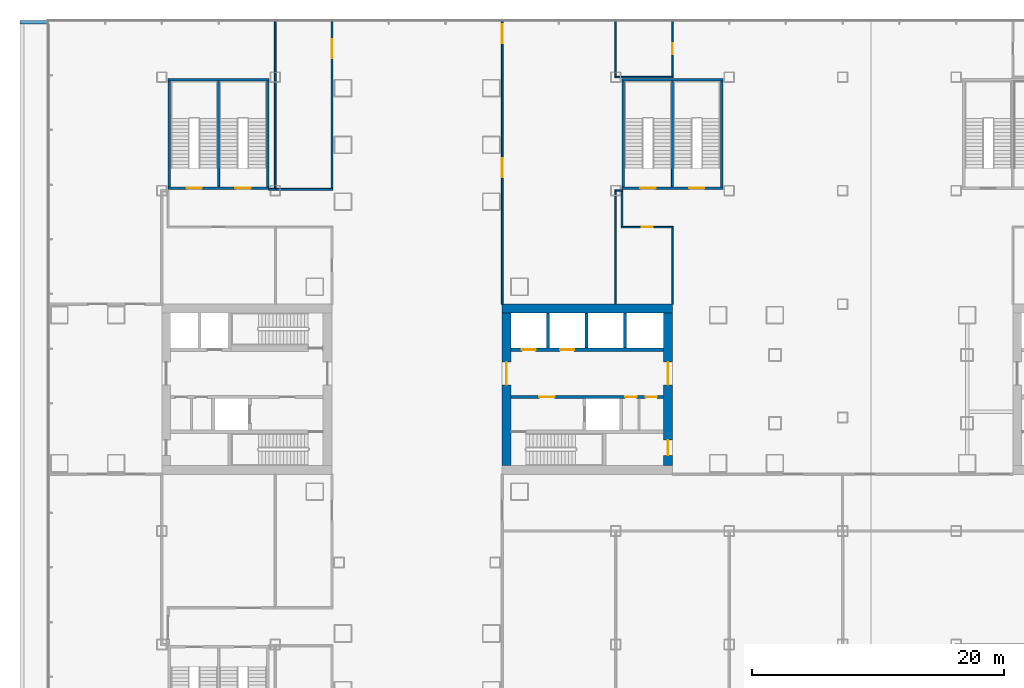
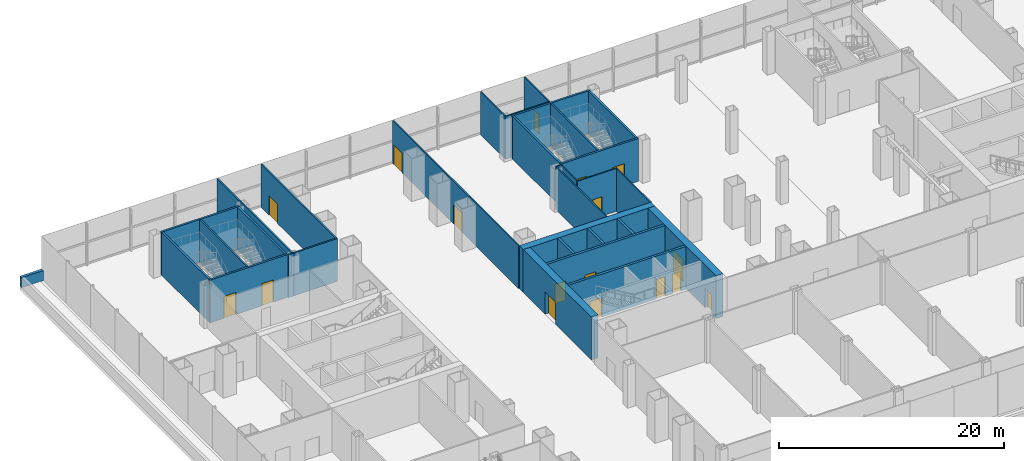
# One storey, part 19 of 30: 32 walls, 17 doors, 17 openings.
"""IFC4 building model written with IfcOpenShell, lengths in metres."""

from ifc_helpers import new_model, si_unit, direction, frame, frame_2d, origin, place, context, subcontext, project, spatial, rectangle, extrude, material, layer, layer_set, type_object, element, fill, save


model = new_model("IFC4")

# Units and contexts
model_context = context("Model", 3, precision=1e-05, world=origin(), true_north=direction((0.0, 1.0)))
body_context = subcontext(model_context, "Body", "Model", "MODEL_VIEW")
ifc_project = project(units=[si_unit("LENGTHUNIT", "METRE"), si_unit("AREAUNIT", "SQUARE_METRE"), si_unit("VOLUMEUNIT", "CUBIC_METRE"), si_unit("PLANEANGLEUNIT", "RADIAN"), si_unit("MASSUNIT", "GRAM", prefix="KILO")], contexts=[model_context])

# Site, building, storey
site_placement = place(None, origin())
site = spatial("IfcSite", under=ifc_project, at=site_placement, CompositionType="ELEMENT")
building_placement = place(site_placement, origin())
building = spatial("IfcBuilding", under=site, at=building_placement, Name="Shamsa Quay Exchange Towers", CompositionType="ELEMENT")
storey_placement = place(building_placement, frame((0.0, 0.0, 23.5)))
storey = spatial("IfcBuildingStorey", under=building, at=storey_placement, Name="L04", CompositionType="ELEMENT", Elevation=23.5)

# Wall
ifc_material_1 = material(Name="Concrete C80/95", Category="concrete")
ifc_layer_1 = layer(ifc_material_1, 0.699951171875)
ifc_layer_set_1 = layer_set([ifc_layer_1], Name="CORE WALL 700 C80/95")
wall_type_1 = type_object("IfcWallType", Name="CORE WALL 700 C80/95", PredefinedType="SHEAR", material=ifc_layer_set_1)
wall_1_placement = place(storey_placement, frame((-27.0, 6.39990234375, 0.0)))
element("IfcWall", 1, at=wall_1_placement, inside=storey, type_object=wall_type_1, Name="Core wall T1A-L04-PN", PredefinedType="SHEAR", context=body_context, shape_type="SweptSolid", body=[
    extrude(rectangle(XDim=13.5, YDim=0.699951171875, at=frame_2d((6.75, 0.0))), origin(), (0.0, 0.0, 1.0), 4.64990234375),
])

# Wall, opening, door
wall_2_placement = place(storey_placement, frame((-26.64990234375, 6.050048828125, 0.0), z_axis=(0.0, 0.0, 1.0), x_axis=(0.0, -1.0, 0.0)))
wall_2 = element("IfcWall", 2, at=wall_2_placement, inside=storey, type_object=wall_type_1, Name="Core wall T1A-L04-PF", PredefinedType="SHEAR", context=body_context, shape_type="SweptSolid", body=[
    extrude(rectangle(XDim=12.10009765625, YDim=0.699951171875, at=frame_2d((6.050048828125, 0.0))), origin(), (0.0, 0.0, 1.0), 4.64990234375),
])
opening_1_placement = place(wall_2_placement, frame((3.89990234375, 0.0, 0.0)))
opening_1 = element("IfcOpeningElement", 3, at=opening_1_placement, cuts=wall_2, Name="Opening T1A-L04-LBD01", PredefinedType="OPENING", context=body_context, shape_type="SweptSolid", body=[
    extrude(rectangle(XDim=1.800048828125, YDim=2.39990234375, at=frame_2d((0.89990234375, 1.199951171875))), frame((0.0, 0.35986328125, 0.0), z_axis=(0.0, -1.0, 0.0), x_axis=(1.0, 0.0, 0.0)), (0.0, 0.0, 1.0), 0.719970703125),
])
ifc_material_2 = material(Name="Steel, fire rated", Category="steel")
door_type_1 = type_object("IfcDoorType", Name="LIFT LOBBY DOOR PAIR 1800", OperationType="DOUBLE_DOOR_SINGLE_SWING", PredefinedType="DOOR", material=ifc_material_2)
door_1_placement = place(opening_1_placement, origin())
door_1 = element("IfcDoor", 4, at=door_1_placement, inside=storey, type_object=door_type_1, Name="T1A-L04-LBD01", OperationType="DOUBLE_DOOR_SINGLE_SWING", OverallHeight=2.39990234375, OverallWidth=1.800048828125, PredefinedType="DOOR", context=body_context, shape_type="SweptSolid", body=[
    extrude(rectangle(XDim=1.800048828125, YDim=2.39990234375, at=frame_2d((0.89990234375, 1.199951171875))), frame((0.0, 0.02490234375, 0.0), z_axis=(0.0, -1.0, 0.0), x_axis=(1.0, 0.0, 0.0)), (0.0, 0.0, 1.0), 0.050048828125),
])
fill(opening_1, door_1)

# Wall, openings, doors
wall_3_placement = place(storey_placement, frame((-13.85009765625, 6.050048828125, 0.0), z_axis=(0.0, 0.0, 1.0), x_axis=(0.0, -1.0, 0.0)))
wall_3 = element("IfcWall", 5, at=wall_3_placement, inside=storey, type_object=wall_type_1, Name="Core wall T1A-L04-PB", PredefinedType="SHEAR", context=body_context, shape_type="SweptSolid", body=[
    extrude(rectangle(XDim=12.10009765625, YDim=0.699951171875, at=frame_2d((6.050048828125, 0.0))), origin(), (0.0, 0.0, 1.0), 4.64990234375),
])
opening_2_placement = place(wall_3_placement, frame((10.10009765625, 0.0, 0.0)))
opening_2 = element("IfcOpeningElement", 6, at=opening_2_placement, cuts=wall_3, Name="Opening T1A-L04-RD02", PredefinedType="OPENING", context=body_context, shape_type="SweptSolid", body=[
    extrude(rectangle(XDim=1.199951171875, YDim=2.10009765625, at=frame_2d((0.60009765625, 1.050048828125))), frame((0.0, 0.35986328125, 0.0), z_axis=(0.0, -1.0, 0.0), x_axis=(1.0, 0.0, 0.0)), (0.0, 0.0, 1.0), 0.719970703125),
])
opening_3_placement = place(wall_3_placement, frame((3.89990234375, 0.0, 0.0)))
opening_3 = element("IfcOpeningElement", 7, at=opening_3_placement, cuts=wall_3, Name="Opening T1A-L04-LBD03", PredefinedType="OPENING", context=body_context, shape_type="SweptSolid", body=[
    extrude(rectangle(XDim=1.800048828125, YDim=2.39990234375, at=frame_2d((0.89990234375, 1.199951171875))), frame((0.0, 0.35986328125, 0.0), z_axis=(0.0, -1.0, 0.0), x_axis=(1.0, 0.0, 0.0)), (0.0, 0.0, 1.0), 0.719970703125),
])
door_2_placement = place(opening_3_placement, origin())
door_2 = element("IfcDoor", 8, at=door_2_placement, inside=storey, type_object=door_type_1, Name="T1A-L04-LBD03", OperationType="DOUBLE_DOOR_SINGLE_SWING", OverallHeight=2.39990234375, OverallWidth=1.800048828125, PredefinedType="DOOR", context=body_context, shape_type="SweptSolid", body=[
    extrude(rectangle(XDim=1.800048828125, YDim=2.39990234375, at=frame_2d((0.89990234375, 1.199951171875))), frame((0.0, 0.02490234375, 0.0), z_axis=(0.0, -1.0, 0.0), x_axis=(1.0, 0.0, 0.0)), (0.0, 0.0, 1.0), 0.050048828125),
])
fill(opening_3, door_2)
door_type_2 = type_object("IfcDoorType", Name="RISER ACCESS DOOR 1200", OperationType="SINGLE_SWING_LEFT", PredefinedType="DOOR", material=ifc_material_2)
door_3_placement = place(opening_2_placement, origin())
door_3 = element("IfcDoor", 9, at=door_3_placement, inside=storey, type_object=door_type_2, Name="T1A-L04-RD02", OperationType="SINGLE_SWING_RIGHT", OverallHeight=2.10009765625, OverallWidth=1.199951171875, PredefinedType="DOOR", context=body_context, shape_type="SweptSolid", body=[
    extrude(rectangle(XDim=1.199951171875, YDim=2.10009765625, at=frame_2d((0.60009765625, 1.050048828125))), frame((0.0, 0.02490234375, 0.0), z_axis=(0.0, -1.0, 0.0), x_axis=(1.0, 0.0, 0.0)), (0.0, 0.0, 1.0), 0.050048828125),
])
fill(opening_2, door_3)

ifc_material_3 = material(Name="Laminated fire-resisting glass in a metal frame", Category="glass")
ifc_layer_2 = layer(ifc_material_3, 0.125)
ifc_layer_set_2 = layer_set([ifc_layer_2], Name="Glazed partition 125 mm EI 60")
wall_type_2 = type_object("IfcWallType", Name="Glazed partition 125 mm EI 60", PredefinedType="PARTITIONING", material=ifc_layer_set_2)
wall_4_placement = place(storey_placement, frame((-27.0, 6.75, 0.0), z_axis=(0.0, 0.0, 1.0), x_axis=(0.0, 1.0, 0.0)))
wall_4 = element("IfcWall", 10, at=wall_4_placement, inside=storey, type_object=wall_type_2, Name="Partition PD-L04-W02", PredefinedType="PARTITIONING", context=body_context, shape_type="SweptSolid", body=[
    extrude(rectangle(XDim=22.405029296875, YDim=0.125, at=frame_2d((11.20263671875, 0.0))), origin(), (0.0, 0.0, 1.0), 4.64990234375),
])
opening_4_placement = place(wall_4_placement, frame((10.050048828125, 0.0, 0.0)))
opening_4 = element("IfcOpeningElement", 11, at=opening_4_placement, cuts=wall_4, Name="Opening PD-L04-D15", PredefinedType="OPENING", context=body_context, shape_type="SweptSolid", body=[
    extrude(rectangle(XDim=1.5, YDim=2.10009765625, at=frame_2d((0.75, 1.050048828125))), frame((0.0, 0.072509765625, 0.0), z_axis=(0.0, -1.0, 0.0), x_axis=(1.0, 0.0, 0.0)), (0.0, 0.0, 1.0), 0.14501953125),
])
opening_5_placement = place(wall_4_placement, frame((20.699951171875, 0.0, 0.0)))
opening_5 = element("IfcOpeningElement", 12, at=opening_5_placement, cuts=wall_4, Name="Opening PD-L04-D16", PredefinedType="OPENING", context=body_context, shape_type="SweptSolid", body=[
    extrude(rectangle(XDim=1.5, YDim=2.10009765625, at=frame_2d((0.75, 1.050048828125))), frame((0.0, 0.072509765625, 0.0), z_axis=(0.0, -1.0, 0.0), x_axis=(1.0, 0.0, 0.0)), (0.0, 0.0, 1.0), 0.14501953125),
])
ifc_material_4 = material(Name="Timber door leaf in a metal frame", Category="wood")
door_type_3 = type_object("IfcDoorType", Name="Door 1500x2100 FD30S pair", OperationType="NOTDEFINED", PredefinedType="DOOR", material=ifc_material_4)
door_4_placement = place(opening_4_placement, origin())
door_4 = element("IfcDoor", 13, at=door_4_placement, inside=storey, type_object=door_type_3, Name="Door PD-L04-D15", OperationType="DOUBLE_DOOR_SINGLE_SWING", OverallHeight=2.10009765625, OverallWidth=1.5, PredefinedType="DOOR", context=body_context, shape_type="SweptSolid", body=[
    extrude(rectangle(XDim=1.5, YDim=2.10009765625, at=frame_2d((0.75, 1.050048828125))), frame((0.0, 0.02490234375, 0.0), z_axis=(0.0, -1.0, 0.0), x_axis=(1.0, 0.0, 0.0)), (0.0, 0.0, 1.0), 0.050048828125),
])
fill(opening_4, door_4)
door_5_placement = place(opening_5_placement, origin())
door_5 = element("IfcDoor", 14, at=door_5_placement, inside=storey, type_object=door_type_3, Name="Door PD-L04-D16", OperationType="DOUBLE_DOOR_SINGLE_SWING", OverallHeight=2.10009765625, OverallWidth=1.5, PredefinedType="DOOR", context=body_context, shape_type="SweptSolid", body=[
    extrude(rectangle(XDim=1.5, YDim=2.10009765625, at=frame_2d((0.75, 1.050048828125))), frame((0.0, 0.02490234375, 0.0), z_axis=(0.0, -1.0, 0.0), x_axis=(1.0, 0.0, 0.0)), (0.0, 0.0, 1.0), 0.050048828125),
])
fill(opening_5, door_5)

# Wall
wall_5_placement = place(storey_placement, frame((-13.5, 6.75, 0.0), z_axis=(0.0, 0.0, 1.0), x_axis=(0.0, 1.0, 0.0)))
element("IfcWall", 15, at=wall_5_placement, inside=storey, type_object=wall_type_2, Name="Partition PD-L04-W17", PredefinedType="PARTITIONING", context=body_context, shape_type="SweptSolid", body=[
    extrude(rectangle(XDim=6.037109375, YDim=0.125, at=frame_2d((3.0185546875, 0.0))), origin(), (0.0, 0.0, 1.0), 4.64990234375),
])

# Wall, opening, door
wall_6_placement = place(storey_placement, frame((-13.5, 24.8125, 0.0), z_axis=(0.0, 0.0, 1.0), x_axis=(0.0, 1.0, 0.0)))
wall_6 = element("IfcWall", 16, at=wall_6_placement, inside=storey, type_object=wall_type_2, Name="Partition PD-L04-W18", PredefinedType="PARTITIONING", context=body_context, shape_type="SweptSolid", body=[
    extrude(rectangle(XDim=4.342529296875, YDim=0.125, at=frame_2d((2.17138671875, 0.0))), origin(), (0.0, 0.0, 1.0), 4.64990234375),
])
opening_6_placement = place(wall_6_placement, frame((1.737548828125, 0.0, 0.0)))
opening_6 = element("IfcOpeningElement", 17, at=opening_6_placement, cuts=wall_6, Name="Opening PD-L04-D22", PredefinedType="OPENING", context=body_context, shape_type="SweptSolid", body=[
    extrude(rectangle(XDim=0.89990234375, YDim=2.10009765625, at=frame_2d((0.449951171875, 1.050048828125))), frame((0.0, 0.072509765625, 0.0), z_axis=(0.0, -1.0, 0.0), x_axis=(1.0, 0.0, 0.0)), (0.0, 0.0, 1.0), 0.14501953125),
])
door_type_4 = type_object("IfcDoorType", Name="Door 900x2100 FD30S", OperationType="NOTDEFINED", PredefinedType="DOOR", material=ifc_material_4)
door_6_placement = place(opening_6_placement, origin())
door_6 = element("IfcDoor", 18, at=door_6_placement, inside=storey, type_object=door_type_4, Name="Door PD-L04-D22", OperationType="SINGLE_SWING_LEFT", OverallHeight=2.10009765625, OverallWidth=0.89990234375, PredefinedType="DOOR", context=body_context, shape_type="SweptSolid", body=[
    extrude(rectangle(XDim=0.89990234375, YDim=2.10009765625, at=frame_2d((0.449951171875, 1.050048828125))), frame((0.0, 0.02490234375, 0.0), z_axis=(0.0, -1.0, 0.0), x_axis=(1.0, 0.0, 0.0)), (0.0, 0.0, 1.0), 0.050048828125),
])
fill(opening_6, door_6)

wall_7_placement = place(storey_placement, frame((-13.4375, 12.849609375, 0.0), z_axis=(0.0, 0.0, 1.0), x_axis=(-1.0, 0.0, 0.0)))
wall_7 = element("IfcWall", 19, at=wall_7_placement, inside=storey, type_object=wall_type_2, Name="Partition PD-L04-W35", PredefinedType="PARTITIONING", context=body_context, shape_type="SweptSolid", body=[
    extrude(rectangle(XDim=4.125, YDim=0.125, at=frame_2d((2.0625, 0.0))), origin(), (0.0, 0.0, 1.0), 4.64990234375),
])
opening_7_placement = place(wall_7_placement, frame((1.612548828125, 0.0, 0.0)))
opening_7 = element("IfcOpeningElement", 20, at=opening_7_placement, cuts=wall_7, Name="Opening PD-L04-D21", PredefinedType="OPENING", context=body_context, shape_type="SweptSolid", body=[
    extrude(rectangle(XDim=0.89990234375, YDim=2.10009765625, at=frame_2d((0.449951171875, 1.050048828125))), frame((0.0, 0.072509765625, 0.0), z_axis=(0.0, -1.0, 0.0), x_axis=(1.0, 0.0, 0.0)), (0.0, 0.0, 1.0), 0.14501953125),
])
door_7_placement = place(opening_7_placement, origin())
door_7 = element("IfcDoor", 21, at=door_7_placement, inside=storey, type_object=door_type_4, Name="Door PD-L04-D21", OperationType="SINGLE_SWING_RIGHT", OverallHeight=2.10009765625, OverallWidth=0.89990234375, PredefinedType="DOOR", context=body_context, shape_type="SweptSolid", body=[
    extrude(rectangle(XDim=0.89990234375, YDim=2.10009765625, at=frame_2d((0.449951171875, 1.050048828125))), frame((0.0, 0.02490234375, 0.0), z_axis=(0.0, -1.0, 0.0), x_axis=(1.0, 0.0, 0.0)), (0.0, 0.0, 1.0), 0.050048828125),
])
fill(opening_7, door_7)

# Walls
wall_8_placement = place(storey_placement, frame((-17.5, 12.912109375, 0.0), z_axis=(0.0, 0.0, 1.0), x_axis=(0.0, 1.0, 0.0)))
element("IfcWall", 22, at=wall_8_placement, inside=storey, type_object=wall_type_2, Name="Partition PD-L04-W38", PredefinedType="PARTITIONING", context=body_context, shape_type="SweptSolid", body=[
    extrude(rectangle(XDim=2.775390625, YDim=0.125, at=frame_2d((1.3876953125, 0.0))), origin(), (0.0, 0.0, 1.0), 4.64990234375),
])
wall_9_placement = place(storey_placement, frame((-18.0625, 15.75, 0.0)))
element("IfcWall", 23, at=wall_9_placement, inside=storey, type_object=wall_type_2, Name="Partition PD-L04-W69", PredefinedType="PARTITIONING", context=body_context, shape_type="SweptSolid", body=[
    extrude(rectangle(XDim=0.625, YDim=0.125, at=frame_2d((0.3125, 0.0))), origin(), (0.0, 0.0, 1.0), 4.64990234375),
])
wall_10_placement = place(storey_placement, frame((-18.0, 6.75, 0.0), z_axis=(0.0, 0.0, 1.0), x_axis=(0.0, 1.0, 0.0)))
element("IfcWall", 24, at=wall_10_placement, inside=storey, type_object=wall_type_2, Name="Partition PD-L04-W71", PredefinedType="PARTITIONING", context=body_context, shape_type="SweptSolid", body=[
    extrude(rectangle(XDim=8.9375, YDim=0.125, at=frame_2d((4.46875, 0.0))), origin(), (0.0, 0.0, 1.0), 4.64990234375),
])
wall_11_placement = place(storey_placement, frame((-18.0, 24.8125, 0.0), z_axis=(0.0, 0.0, 1.0), x_axis=(0.0, 1.0, 0.0)))
element("IfcWall", 25, at=wall_11_placement, inside=storey, type_object=wall_type_2, Name="Partition PD-L04-W72", PredefinedType="PARTITIONING", context=body_context, shape_type="SweptSolid", body=[
    extrude(rectangle(XDim=4.342529296875, YDim=0.125, at=frame_2d((2.17138671875, 0.0))), origin(), (0.0, 0.0, 1.0), 4.64990234375),
])
wall_12_placement = place(storey_placement, frame((-13.4375, 24.75, 0.0), z_axis=(0.0, 0.0, 1.0), x_axis=(-1.0, 0.0, 0.0)))
element("IfcWall", 26, at=wall_12_placement, inside=storey, type_object=wall_type_2, Name="Partition PD-L04-W74", PredefinedType="PARTITIONING", context=body_context, shape_type="SweptSolid", body=[
    extrude(rectangle(XDim=4.625, YDim=0.125, at=frame_2d((2.3125, 0.0))), origin(), (0.0, 0.0, 1.0), 4.64990234375),
])

# Wall, opening, door
ifc_material_5 = material(Name="Gypsum board partition on metal studs")
ifc_layer_3 = layer(ifc_material_5, 0.14990234375)
ifc_layer_set_3 = layer_set([ifc_layer_3], Name="Partition 150 mm EI 60")
wall_type_3 = type_object("IfcWallType", Name="Partition 150 mm EI 60", PredefinedType="PARTITIONING", material=ifc_layer_set_3)
wall_13_placement = place(storey_placement, frame((-40.5, 15.924560546875, 0.0), z_axis=(0.0, 0.0, 1.0), x_axis=(0.0, 1.0, 0.0)))
wall_13 = element("IfcWall", 27, at=wall_13_placement, inside=storey, type_object=wall_type_3, Name="Partition PD-L04-W05", PredefinedType="PARTITIONING", context=body_context, shape_type="SweptSolid", body=[
    extrude(rectangle(XDim=13.23046875, YDim=0.14990234375, at=frame_2d((6.615234375, 0.0))), origin(), (0.0, 0.0, 1.0), 4.64990234375),
])
opening_8_placement = place(wall_13_placement, frame((10.325439453125, 0.0, 0.0)))
opening_8 = element("IfcOpeningElement", 28, at=opening_8_placement, cuts=wall_13, Name="Opening PD-L04-D12", PredefinedType="OPENING", context=body_context, shape_type="SweptSolid", body=[
    extrude(rectangle(XDim=1.5, YDim=2.10009765625, at=frame_2d((0.75, 1.050048828125))), frame((0.0, 0.0849609375, 0.0), z_axis=(0.0, -1.0, 0.0), x_axis=(1.0, 0.0, 0.0)), (0.0, 0.0, 1.0), 0.169921875),
])
door_8_placement = place(opening_8_placement, origin())
door_8 = element("IfcDoor", 29, at=door_8_placement, inside=storey, type_object=door_type_3, Name="Door PD-L04-D12", OperationType="DOUBLE_DOOR_SINGLE_SWING", OverallHeight=2.10009765625, OverallWidth=1.5, PredefinedType="DOOR", context=body_context, shape_type="SweptSolid", body=[
    extrude(rectangle(XDim=1.5, YDim=2.10009765625, at=frame_2d((0.75, 1.050048828125))), frame((0.0, 0.02490234375, 0.0), z_axis=(0.0, -1.0, 0.0), x_axis=(1.0, 0.0, 0.0)), (0.0, 0.0, 1.0), 0.050048828125),
])
fill(opening_8, door_8)

# Walls
wall_14_placement = place(storey_placement, frame((-44.925048828125, 15.849609375, 0.0), z_axis=(0.0, 0.0, 1.0), x_axis=(-1.0, 0.0, 0.0)))
element("IfcWall", 30, at=wall_14_placement, inside=storey, type_object=wall_type_3, Name="Partition PD-L04-W31", PredefinedType="PARTITIONING", context=body_context, shape_type="SweptSolid", body=[
    extrude(rectangle(XDim=0.574951171875, YDim=0.14990234375, at=frame_2d((0.28759765625, 0.0))), origin(), (0.0, 0.0, 1.0), 4.64990234375),
])
wall_15_placement = place(storey_placement, frame((-45.074951171875, 15.849609375, 0.0)))
element("IfcWall", 31, at=wall_15_placement, inside=storey, type_object=wall_type_3, Name="Partition PD-L04-W32", PredefinedType="PARTITIONING", context=body_context, shape_type="SweptSolid", body=[
    extrude(rectangle(XDim=4.64990234375, YDim=0.14990234375, at=frame_2d((2.324951171875, 0.0))), origin(), (0.0, 0.0, 1.0), 4.64990234375),
])
wall_16_placement = place(storey_placement, frame((-45.0, 15.924560546875, 0.0), z_axis=(0.0, 0.0, 1.0), x_axis=(0.0, 1.0, 0.0)))
element("IfcWall", 32, at=wall_16_placement, inside=storey, type_object=wall_type_3, Name="Partition PD-L04-W52", PredefinedType="PARTITIONING", context=body_context, shape_type="SweptSolid", body=[
    extrude(rectangle(XDim=13.23046875, YDim=0.14990234375, at=frame_2d((6.615234375, 0.0))), origin(), (0.0, 0.0, 1.0), 4.64990234375),
])
ifc_material_6 = material(Name="Reinforced concrete C30/37", Category="concrete")
ifc_layer_4 = layer(ifc_material_6, 0.300048828125)
ifc_layer_set_4 = layer_set([ifc_layer_4], Name="ROOF PARAPET 300 C30/37")
wall_type_4 = type_object("IfcWallType", Name="ROOF PARAPET 300 C30/37", PredefinedType="PARAPET", material=ifc_layer_set_4)
wall_17_placement = place(storey_placement, frame((-63.0, 29.10009765625, 0.0), z_axis=(0.0, 0.0, 1.0), x_axis=(-1.0, 0.0, 0.0)))
element("IfcWall", 33, at=wall_17_placement, inside=storey, type_object=wall_type_4, Name="Parapet L03 1", PredefinedType="PARAPET", context=body_context, shape_type="SweptSolid", body=[
    extrude(rectangle(XDim=2.25, YDim=0.300048828125, at=frame_2d((1.125, 0.0))), origin(), (0.0, 0.0, 1.0), 1.10009765625),
])

# Wall, openings, doors
ifc_material_7 = material(Name="Concrete C50/60", Category="concrete")
ifc_layer_5 = layer(ifc_material_7, 0.25)
ifc_layer_set_5 = layer_set([ifc_layer_5], Name="SHAFT WALL 250 C50/60")
wall_type_5 = type_object("IfcWallType", Name="SHAFT WALL 250 C50/60", PredefinedType="SHEAR", material=ifc_layer_set_5)
wall_18_placement = place(storey_placement, frame((-14.199951171875, -0.625, 0.0), z_axis=(0.0, 0.0, 1.0), x_axis=(-1.0, 0.0, 0.0)))
wall_18 = element("IfcWall", 34, at=wall_18_placement, inside=storey, type_object=wall_type_5, Name="Shaft wall T1A-L04-B", PredefinedType="SHEAR", context=body_context, shape_type="SweptSolid", body=[
    extrude(rectangle(XDim=12.10009765625, YDim=0.25, at=frame_2d((6.050048828125, 0.0))), origin(), (0.0, 0.0, 1.0), 4.64990234375),
])
opening_9_placement = place(wall_18_placement, frame((8.64990234375, 0.0, 0.0)))
opening_9 = element("IfcOpeningElement", 35, at=opening_9_placement, cuts=wall_18, Name="Opening T1A-L04-FD05", PredefinedType="OPENING", context=body_context, shape_type="SweptSolid", body=[
    extrude(rectangle(XDim=1.199951171875, YDim=2.10009765625, at=frame_2d((0.60009765625, 1.050048828125))), frame((0.0, 0.135009765625, 0.0), z_axis=(0.0, -1.0, 0.0), x_axis=(1.0, 0.0, 0.0)), (0.0, 0.0, 1.0), 0.27001953125),
])
opening_10_placement = place(wall_18_placement, frame((2.14990234375, 0.0, 0.0)))
opening_10 = element("IfcOpeningElement", 36, at=opening_10_placement, cuts=wall_18, Name="Opening T1A-L04-SV06", PredefinedType="OPENING", context=body_context, shape_type="SweptSolid", body=[
    extrude(rectangle(XDim=0.89990234375, YDim=2.10009765625, at=frame_2d((0.449951171875, 1.050048828125))), frame((0.0, 0.135009765625, 0.0), z_axis=(0.0, -1.0, 0.0), x_axis=(1.0, 0.0, 0.0)), (0.0, 0.0, 1.0), 0.27001953125),
])
opening_11_placement = place(wall_18_placement, frame((0.52490234375, 0.0, 0.0)))
opening_11 = element("IfcOpeningElement", 37, at=opening_11_placement, cuts=wall_18, Name="Opening T1A-L04-SV07", PredefinedType="OPENING", context=body_context, shape_type="SweptSolid", body=[
    extrude(rectangle(XDim=0.89990234375, YDim=2.10009765625, at=frame_2d((0.449951171875, 1.050048828125))), frame((0.0, 0.135009765625, 0.0), z_axis=(0.0, -1.0, 0.0), x_axis=(1.0, 0.0, 0.0)), (0.0, 0.0, 1.0), 0.27001953125),
])
door_type_5 = type_object("IfcDoorType", Name="FIRE SERVICE LOBBY DOOR 1200", OperationType="SINGLE_SWING_LEFT", PredefinedType="DOOR", material=ifc_material_2)
door_9_placement = place(opening_9_placement, origin())
door_9 = element("IfcDoor", 38, at=door_9_placement, inside=storey, type_object=door_type_5, Name="T1A-L04-FD05", OperationType="SINGLE_SWING_RIGHT", OverallHeight=2.10009765625, OverallWidth=1.199951171875, PredefinedType="DOOR", context=body_context, shape_type="SweptSolid", body=[
    extrude(rectangle(XDim=1.199951171875, YDim=2.10009765625, at=frame_2d((0.60009765625, 1.050048828125))), frame((0.0, 0.02490234375, 0.0), z_axis=(0.0, -1.0, 0.0), x_axis=(1.0, 0.0, 0.0)), (0.0, 0.0, 1.0), 0.050048828125),
])
fill(opening_9, door_9)
door_type_6 = type_object("IfcDoorType", Name="SERVICE ROOM DOOR 900", OperationType="SINGLE_SWING_LEFT", PredefinedType="DOOR", material=ifc_material_2)
door_10_placement = place(opening_10_placement, origin())
door_10 = element("IfcDoor", 39, at=door_10_placement, inside=storey, type_object=door_type_6, Name="T1A-L04-SV06", OperationType="SINGLE_SWING_LEFT", OverallHeight=2.10009765625, OverallWidth=0.89990234375, PredefinedType="DOOR", context=body_context, shape_type="SweptSolid", body=[
    extrude(rectangle(XDim=0.89990234375, YDim=2.10009765625, at=frame_2d((0.449951171875, 1.050048828125))), frame((0.0, 0.02490234375, 0.0), z_axis=(0.0, -1.0, 0.0), x_axis=(1.0, 0.0, 0.0)), (0.0, 0.0, 1.0), 0.050048828125),
])
fill(opening_10, door_10)
door_11_placement = place(opening_11_placement, origin())
door_11 = element("IfcDoor", 40, at=door_11_placement, inside=storey, type_object=door_type_6, Name="T1A-L04-SV07", OperationType="SINGLE_SWING_LEFT", OverallHeight=2.10009765625, OverallWidth=0.89990234375, PredefinedType="DOOR", context=body_context, shape_type="SweptSolid", body=[
    extrude(rectangle(XDim=0.89990234375, YDim=2.10009765625, at=frame_2d((0.449951171875, 1.050048828125))), frame((0.0, 0.02490234375, 0.0), z_axis=(0.0, -1.0, 0.0), x_axis=(1.0, 0.0, 0.0)), (0.0, 0.0, 1.0), 0.050048828125),
])
fill(opening_11, door_11)

wall_19_placement = place(storey_placement, frame((-26.300048828125, 3.125, 0.0)))
wall_19 = element("IfcWall", 41, at=wall_19_placement, inside=storey, type_object=wall_type_5, Name="Shaft wall T1A-L04-N", PredefinedType="SHEAR", context=body_context, shape_type="SweptSolid", body=[
    extrude(rectangle(XDim=12.10009765625, YDim=0.25, at=frame_2d((6.050048828125, 0.0))), origin(), (0.0, 0.0, 1.0), 4.64990234375),
])
opening_12_placement = place(wall_19_placement, frame((0.85009765625, 0.0, 0.0)))
opening_12 = element("IfcOpeningElement", 42, at=opening_12_placement, cuts=wall_19, Name="Opening T1A-L04-LD09", PredefinedType="OPENING", context=body_context, shape_type="SweptSolid", body=[
    extrude(rectangle(XDim=1.10009765625, YDim=2.10009765625, at=frame_2d((0.550048828125, 1.050048828125))), frame((0.0, 0.135009765625, 0.0), z_axis=(0.0, -1.0, 0.0), x_axis=(1.0, 0.0, 0.0)), (0.0, 0.0, 1.0), 0.27001953125),
])
opening_13_placement = place(wall_19_placement, frame((3.89990234375, 0.0, 0.0)))
opening_13 = element("IfcOpeningElement", 43, at=opening_13_placement, cuts=wall_19, Name="Opening T1A-L04-LD10", PredefinedType="OPENING", context=body_context, shape_type="SweptSolid", body=[
    extrude(rectangle(XDim=1.10009765625, YDim=2.10009765625, at=frame_2d((0.550048828125, 1.050048828125))), frame((0.0, 0.135009765625, 0.0), z_axis=(0.0, -1.0, 0.0), x_axis=(1.0, 0.0, 0.0)), (0.0, 0.0, 1.0), 0.27001953125),
])
door_type_7 = type_object("IfcDoorType", Name="LANDING DOOR 1100", OperationType="SLIDING_TO_LEFT", PredefinedType="DOOR", material=ifc_material_2)
door_12_placement = place(opening_12_placement, origin())
door_12 = element("IfcDoor", 44, at=door_12_placement, inside=storey, type_object=door_type_7, Name="T1A-L04-LD09", OperationType="SLIDING_TO_LEFT", OverallHeight=2.10009765625, OverallWidth=1.10009765625, PredefinedType="DOOR", context=body_context, shape_type="SweptSolid", body=[
    extrude(rectangle(XDim=1.10009765625, YDim=2.10009765625, at=frame_2d((0.550048828125, 1.050048828125))), frame((0.0, 0.02490234375, 0.0), z_axis=(0.0, -1.0, 0.0), x_axis=(1.0, 0.0, 0.0)), (0.0, 0.0, 1.0), 0.050048828125),
])
fill(opening_12, door_12)
door_13_placement = place(opening_13_placement, origin())
door_13 = element("IfcDoor", 45, at=door_13_placement, inside=storey, type_object=door_type_7, Name="T1A-L04-LD10", OperationType="SLIDING_TO_LEFT", OverallHeight=2.10009765625, OverallWidth=1.10009765625, PredefinedType="DOOR", context=body_context, shape_type="SweptSolid", body=[
    extrude(rectangle(XDim=1.10009765625, YDim=2.10009765625, at=frame_2d((0.550048828125, 1.050048828125))), frame((0.0, 0.02490234375, 0.0), z_axis=(0.0, -1.0, 0.0), x_axis=(1.0, 0.0, 0.0)), (0.0, 0.0, 1.0), 0.050048828125),
])
fill(opening_13, door_13)

# Walls
for number, where, z_axis, x_axis, name in (
    (46, (-23.375, 3.25, 0.0), (0.0, 0.0, 1.0), (0.0, 1.0, 0.0), "Shaft wall T1A-L04-D0"),
    (47, (-20.324951171875, 3.25, 0.0), (0.0, 0.0, 1.0), (0.0, 1.0, 0.0), "Shaft wall T1A-L04-D1"),
    (48, (-17.27490234375, 3.25, 0.0), (0.0, 0.0, 1.0), (0.0, 1.0, 0.0), "Shaft wall T1A-L04-D2"),
):
    element("IfcWall", number, at=place(storey_placement, frame(where, z_axis=z_axis, x_axis=x_axis)), inside=storey, type_object=wall_type_5, Name=name, PredefinedType="SHEAR", context=body_context, shape_type="SweptSolid", body=[
        extrude(rectangle(XDim=2.800048828125, YDim=0.25, at=frame_2d((1.39990234375, 0.0))), origin(), (0.0, 0.0, 1.0), 4.64990234375),
    ])

# Wall, openings, doors
ifc_layer_6 = layer(ifc_material_7, 0.199951171875)
ifc_layer_set_6 = layer_set([ifc_layer_6], Name="STAIR ENCLOSURE WALL 200 C50/60")
wall_type_6 = type_object("IfcWallType", Name="STAIR ENCLOSURE WALL 200 C50/60", PredefinedType="SHEAR", material=ifc_layer_set_6)
wall_20_placement = place(storey_placement, frame((-53.5, 15.949951171875, 0.0)))
wall_20 = element("IfcWall", 49, at=wall_20_placement, inside=storey, type_object=wall_type_6, Name="Stair enclosure wall PS1 inward", PredefinedType="SHEAR", context=body_context, shape_type="SweptSolid", body=[
    extrude(rectangle(XDim=8.0, YDim=0.199951171875, at=frame_2d((4.0, 0.0))), origin(), (0.0, 0.0, 1.0), 4.64990234375),
])
opening_14_placement = place(wall_20_placement, frame((1.46240234375, 0.0, 0.0)))
opening_14 = element("IfcOpeningElement", 50, at=opening_14_placement, cuts=wall_20, Name="Opening PS1A-L04-SD01", PredefinedType="OPENING", context=body_context, shape_type="SweptSolid", body=[
    extrude(rectangle(XDim=1.199951171875, YDim=2.39990234375, at=frame_2d((0.60009765625, 1.199951171875))), frame((0.0, 0.10986328125, 0.0), z_axis=(0.0, -1.0, 0.0), x_axis=(1.0, 0.0, 0.0)), (0.0, 0.0, 1.0), 0.219970703125),
])
opening_15_placement = place(wall_20_placement, frame((5.33740234375, 0.0, 0.0)))
opening_15 = element("IfcOpeningElement", 51, at=opening_15_placement, cuts=wall_20, Name="Opening PS1B-L04-SD01", PredefinedType="OPENING", context=body_context, shape_type="SweptSolid", body=[
    extrude(rectangle(XDim=1.199951171875, YDim=2.39990234375, at=frame_2d((0.60009765625, 1.199951171875))), frame((0.0, 0.10986328125, 0.0), z_axis=(0.0, -1.0, 0.0), x_axis=(1.0, 0.0, 0.0)), (0.0, 0.0, 1.0), 0.219970703125),
])
door_type_8 = type_object("IfcDoorType", Name="PODIUM STAIR DOOR 1200", OperationType="SINGLE_SWING_LEFT", PredefinedType="DOOR", material=ifc_material_2)
door_14_placement = place(opening_14_placement, origin())
door_14 = element("IfcDoor", 52, at=door_14_placement, inside=storey, type_object=door_type_8, Name="PS1A-L04-SD01", OperationType="SINGLE_SWING_LEFT", OverallHeight=2.39990234375, OverallWidth=1.199951171875, PredefinedType="DOOR", context=body_context, shape_type="SweptSolid", body=[
    extrude(rectangle(XDim=1.199951171875, YDim=2.39990234375, at=frame_2d((0.60009765625, 1.199951171875))), frame((0.0, 0.02490234375, 0.0), z_axis=(0.0, -1.0, 0.0), x_axis=(1.0, 0.0, 0.0)), (0.0, 0.0, 1.0), 0.050048828125),
])
fill(opening_14, door_14)
door_15_placement = place(opening_15_placement, origin())
door_15 = element("IfcDoor", 53, at=door_15_placement, inside=storey, type_object=door_type_8, Name="PS1B-L04-SD01", OperationType="SINGLE_SWING_RIGHT", OverallHeight=2.39990234375, OverallWidth=1.199951171875, PredefinedType="DOOR", context=body_context, shape_type="SweptSolid", body=[
    extrude(rectangle(XDim=1.199951171875, YDim=2.39990234375, at=frame_2d((0.60009765625, 1.199951171875))), frame((0.0, 0.02490234375, 0.0), z_axis=(0.0, -1.0, 0.0), x_axis=(1.0, 0.0, 0.0)), (0.0, 0.0, 1.0), 0.050048828125),
])
fill(opening_15, door_15)

# Walls
wall_21_placement = place(storey_placement, frame((-53.5, 24.550048828125, 0.0)))
element("IfcWall", 54, at=wall_21_placement, inside=storey, type_object=wall_type_6, Name="Stair enclosure wall PS1 outward", PredefinedType="SHEAR", context=body_context, shape_type="SweptSolid", body=[
    extrude(rectangle(XDim=8.0, YDim=0.199951171875, at=frame_2d((4.0, 0.0))), origin(), (0.0, 0.0, 1.0), 4.64990234375),
])
for number, where, z_axis, x_axis, name in (
    (55, (-53.39990234375, 16.050048828125, 0.0), (0.0, 0.0, 1.0), (0.0, 1.0, 0.0), "Stair enclosure wall PS1 west"),
    (56, (-45.60009765625, 16.050048828125, 0.0), (0.0, 0.0, 1.0), (0.0, 1.0, 0.0), "Stair enclosure wall PS1 east"),
):
    element("IfcWall", number, at=place(storey_placement, frame(where, z_axis=z_axis, x_axis=x_axis)), inside=storey, type_object=wall_type_6, Name=name, PredefinedType="SHEAR", context=body_context, shape_type="SweptSolid", body=[
        extrude(rectangle(XDim=8.39990234375, YDim=0.199951171875, at=frame_2d((4.199951171875, 0.0))), origin(), (0.0, 0.0, 1.0), 4.64990234375),
    ])

# Wall, openings, doors
wall_22_placement = place(storey_placement, frame((-17.5, 15.949951171875, 0.0)))
wall_22 = element("IfcWall", 57, at=wall_22_placement, inside=storey, type_object=wall_type_6, Name="Stair enclosure wall PS2 inward", PredefinedType="SHEAR", context=body_context, shape_type="SweptSolid", body=[
    extrude(rectangle(XDim=8.0, YDim=0.199951171875, at=frame_2d((4.0, 0.0))), origin(), (0.0, 0.0, 1.0), 4.64990234375),
])
opening_16_placement = place(wall_22_placement, frame((1.46240234375, 0.0, 0.0)))
opening_16 = element("IfcOpeningElement", 58, at=opening_16_placement, cuts=wall_22, Name="Opening PS2A-L04-SD01", PredefinedType="OPENING", context=body_context, shape_type="SweptSolid", body=[
    extrude(rectangle(XDim=1.199951171875, YDim=2.39990234375, at=frame_2d((0.60009765625, 1.199951171875))), frame((0.0, 0.10986328125, 0.0), z_axis=(0.0, -1.0, 0.0), x_axis=(1.0, 0.0, 0.0)), (0.0, 0.0, 1.0), 0.219970703125),
])
opening_17_placement = place(wall_22_placement, frame((5.33740234375, 0.0, 0.0)))
opening_17 = element("IfcOpeningElement", 59, at=opening_17_placement, cuts=wall_22, Name="Opening PS2B-L04-SD01", PredefinedType="OPENING", context=body_context, shape_type="SweptSolid", body=[
    extrude(rectangle(XDim=1.199951171875, YDim=2.39990234375, at=frame_2d((0.60009765625, 1.199951171875))), frame((0.0, 0.10986328125, 0.0), z_axis=(0.0, -1.0, 0.0), x_axis=(1.0, 0.0, 0.0)), (0.0, 0.0, 1.0), 0.219970703125),
])
door_16_placement = place(opening_16_placement, origin())
door_16 = element("IfcDoor", 60, at=door_16_placement, inside=storey, type_object=door_type_8, Name="PS2A-L04-SD01", OperationType="SINGLE_SWING_LEFT", OverallHeight=2.39990234375, OverallWidth=1.199951171875, PredefinedType="DOOR", context=body_context, shape_type="SweptSolid", body=[
    extrude(rectangle(XDim=1.199951171875, YDim=2.39990234375, at=frame_2d((0.60009765625, 1.199951171875))), frame((0.0, 0.02490234375, 0.0), z_axis=(0.0, -1.0, 0.0), x_axis=(1.0, 0.0, 0.0)), (0.0, 0.0, 1.0), 0.050048828125),
])
fill(opening_16, door_16)
door_17_placement = place(opening_17_placement, origin())
door_17 = element("IfcDoor", 61, at=door_17_placement, inside=storey, type_object=door_type_8, Name="PS2B-L04-SD01", OperationType="SINGLE_SWING_RIGHT", OverallHeight=2.39990234375, OverallWidth=1.199951171875, PredefinedType="DOOR", context=body_context, shape_type="SweptSolid", body=[
    extrude(rectangle(XDim=1.199951171875, YDim=2.39990234375, at=frame_2d((0.60009765625, 1.199951171875))), frame((0.0, 0.02490234375, 0.0), z_axis=(0.0, -1.0, 0.0), x_axis=(1.0, 0.0, 0.0)), (0.0, 0.0, 1.0), 0.050048828125),
])
fill(opening_17, door_17)

# Walls
wall_23_placement = place(storey_placement, frame((-17.5, 24.550048828125, 0.0)))
element("IfcWall", 62, at=wall_23_placement, inside=storey, type_object=wall_type_6, Name="Stair enclosure wall PS2 outward", PredefinedType="SHEAR", context=body_context, shape_type="SweptSolid", body=[
    extrude(rectangle(XDim=8.0, YDim=0.199951171875, at=frame_2d((4.0, 0.0))), origin(), (0.0, 0.0, 1.0), 4.64990234375),
])
for number, where, z_axis, x_axis, name in (
    (63, (-17.39990234375, 16.050048828125, 0.0), (0.0, 0.0, 1.0), (0.0, 1.0, 0.0), "Stair enclosure wall PS2 west"),
    (64, (-9.60009765625, 16.050048828125, 0.0), (0.0, 0.0, 1.0), (0.0, 1.0, 0.0), "Stair enclosure wall PS2 east"),
):
    element("IfcWall", number, at=place(storey_placement, frame(where, z_axis=z_axis, x_axis=x_axis)), inside=storey, type_object=wall_type_6, Name=name, PredefinedType="SHEAR", context=body_context, shape_type="SweptSolid", body=[
        extrude(rectangle(XDim=8.39990234375, YDim=0.199951171875, at=frame_2d((4.199951171875, 0.0))), origin(), (0.0, 0.0, 1.0), 4.64990234375),
    ])
ifc_layer_7 = layer(ifc_material_7, 0.14990234375)
ifc_layer_set_7 = layer_set([ifc_layer_7], Name="STAIR PARTITION WALL 150 C50/60")
wall_type_7 = type_object("IfcWallType", Name="STAIR PARTITION WALL 150 C50/60", PredefinedType="SHEAR", material=ifc_layer_set_7)
for number, where, z_axis, x_axis, name in (
    (65, (-49.5, 16.050048828125, 0.0), (0.0, 0.0, 1.0), (0.0, 1.0, 0.0), "Stair enclosure wall PS1 between the stairs"),
    (66, (-13.5, 16.050048828125, 0.0), (0.0, 0.0, 1.0), (0.0, 1.0, 0.0), "Stair enclosure wall PS2 between the stairs"),
):
    element("IfcWall", number, at=place(storey_placement, frame(where, z_axis=z_axis, x_axis=x_axis)), inside=storey, type_object=wall_type_7, Name=name, PredefinedType="SHEAR", context=body_context, shape_type="SweptSolid", body=[
        extrude(rectangle(XDim=8.39990234375, YDim=0.14990234375, at=frame_2d((4.199951171875, 0.0))), origin(), (0.0, 0.0, 1.0), 4.64990234375),
    ])

save(model, "model.ifc")
